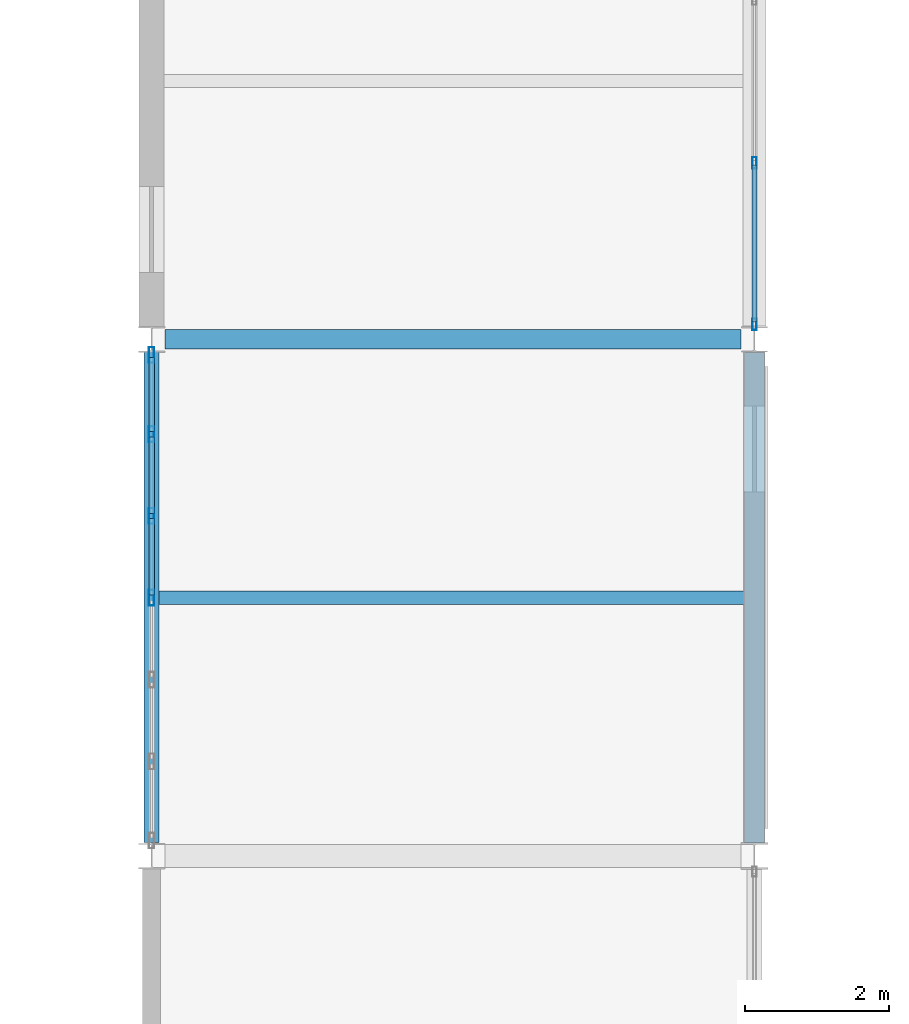
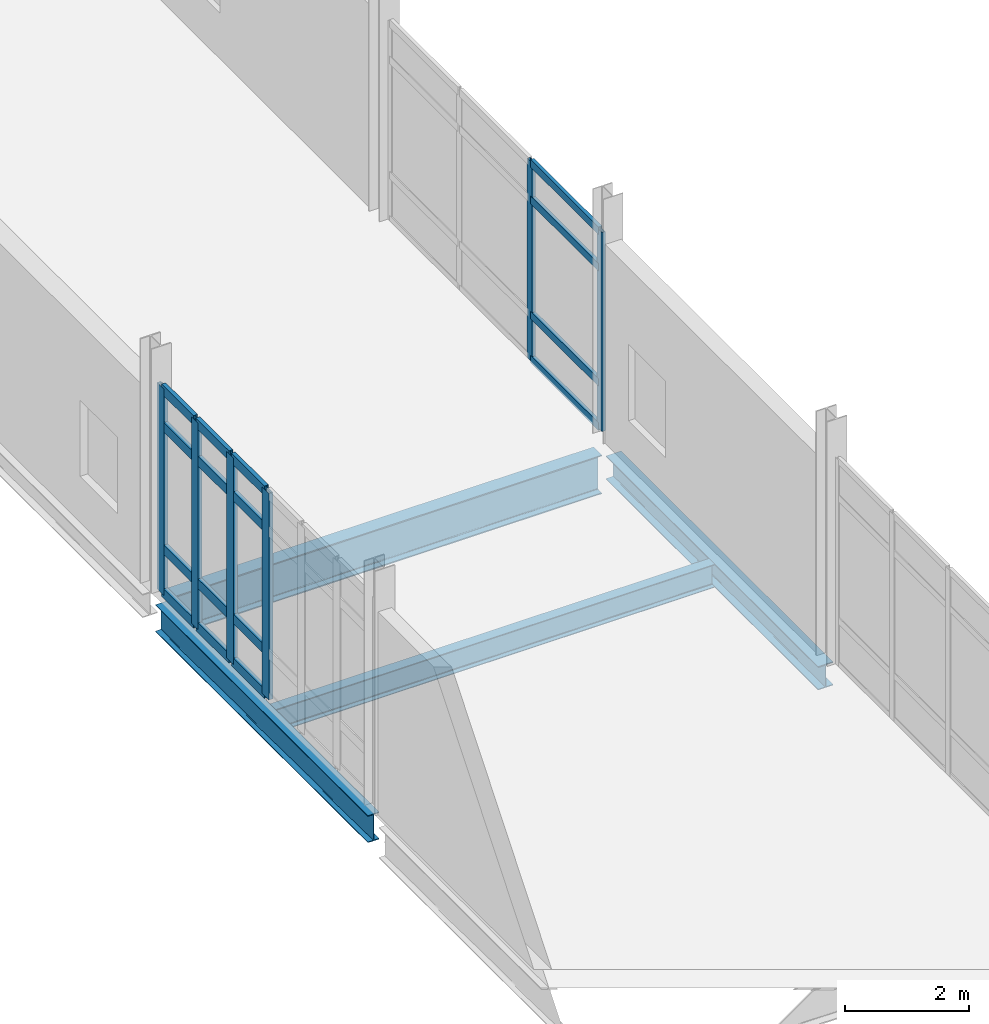
# One storey, part 77 of 186: 22 members, 4 beams, 2 elements without a shape of their own.
"""IFC4 building model written with IfcOpenShell, lengths in metres."""

import ifcopenshell
import ifcopenshell.guid

model = None  # the IFC model being written
_history = None  # IfcOwnerHistory: only IFC2X3 demands one
_inside = {}  # id of a spatial element -> (the spatial element, [elements in it])
_under = {}  # id of a project, library or spatial element -> (it, [spatial elements below it])
_declared = {}  # id of a project -> (the project, [libraries it declares])
_typed = {}  # id of a type object -> (the type object, [elements of that type])
_made_of = {}  # id of a material, layer set ... -> (it, [elements and type objects made of it])


def new_model(schema):
    """Start an empty IFC model of exactly this schema.

    Asked for "IFC4X3", IfcOpenShell would pick the latest addendum, in which some entities
    have other attributes; the version numbers below select the first issue.
    IFC2X3 requires an IfcOwnerHistory on every rooted entity: one is made here for all.
    """
    global model, _history
    if schema == "IFC4X3":
        model = ifcopenshell.file(schema_version=(4, 3, 0, 0))
    else:
        model = ifcopenshell.file(schema=schema)
    _inside.clear()
    _under.clear()
    _declared.clear()
    _typed.clear()
    _made_of.clear()
    _history = None
    if model.schema == "IFC2X3":
        org = make("IfcOrganization", Name="unknown")
        user = make(
            "IfcPersonAndOrganization",
            ThePerson=make("IfcPerson", FamilyName="unknown"),
            TheOrganization=org,
        )
        app = make(
            "IfcApplication",
            ApplicationDeveloper=org,
            Version="unknown",
            ApplicationFullName="unknown",
            ApplicationIdentifier="unknown",
        )
        _history = make(
            "IfcOwnerHistory",
            OwningUser=user,
            OwningApplication=app,
            ChangeAction="ADDED",
            CreationDate=0,
        )
    return model


def make(cls, **values):
    """One entity of the class cls with the attributes given. An attribute that is None is left unset."""
    return model.create_entity(
        cls, **{name: value for name, value in values.items() if value is not None}
    )


def rooted(cls, **values):
    """An entity with a GlobalId (a new one), such as an element, a storey or a relation."""
    return make(cls, GlobalId=ifcopenshell.guid.new(), OwnerHistory=_history, **values)


def si_unit(unit_type, name, prefix=None):
    """IfcSIUnit, for example si_unit("LENGTHUNIT", "METRE", prefix="MILLI")."""
    return make("IfcSIUnit", UnitType=unit_type, Prefix=prefix, Name=name)


def assignment(units):
    """IfcUnitAssignment: the units of a project."""
    return None if units is None else make("IfcUnitAssignment", Units=units)


def point(xyz):
    """IfcCartesianPoint."""
    return None if xyz is None else make("IfcCartesianPoint", Coordinates=xyz)


def direction(xyz):
    """IfcDirection."""
    return None if xyz is None else make("IfcDirection", DirectionRatios=xyz)


def frame(location, z_axis=None, x_axis=None):
    """IfcAxis2Placement3D, a coordinate frame: its origin and axes. An axis left out is left unset."""
    return make(
        "IfcAxis2Placement3D",
        Location=point(location),
        Axis=direction(z_axis),
        RefDirection=direction(x_axis),
    )


def frame_2d(location, x_axis=None):
    """IfcAxis2Placement2D, a coordinate frame in the plane: its origin and x axis."""
    return make(
        "IfcAxis2Placement2D", Location=point(location), RefDirection=direction(x_axis)
    )


def origin():
    """The frame at (0, 0, 0) with its axes left unset."""
    return frame((0.0, 0.0, 0.0))


def origin_2d():
    """The frame at (0, 0) in the plane with its x axis left unset."""
    return frame_2d((0.0, 0.0))


def place(relative_to, where):
    """IfcLocalPlacement: puts the frame where relative to a parent placement (None: the world)."""
    return make(
        "IfcLocalPlacement", PlacementRelTo=relative_to, RelativePlacement=where
    )


def context(
    kind, dimensions, precision=None, world=None, true_north=None, identifier=None
):
    """IfcGeometricRepresentationContext, for example the 3D "Model" context."""
    return make(
        "IfcGeometricRepresentationContext",
        ContextIdentifier=identifier,
        ContextType=kind,
        CoordinateSpaceDimension=dimensions,
        Precision=precision,
        WorldCoordinateSystem=world,
        TrueNorth=true_north,
    )


def subcontext(parent, identifier, kind, view, scale=None):
    """IfcGeometricRepresentationSubContext, for example "Body" below "Model"."""
    return make(
        "IfcGeometricRepresentationSubContext",
        ContextIdentifier=identifier,
        ContextType=kind,
        ParentContext=parent,
        TargetScale=scale,
        TargetView=view,
    )


def project(units=None, contexts=None):
    """IfcProject with its units and contexts."""
    return rooted(
        "IfcProject",
        Name="project",
        RepresentationContexts=contexts,
        UnitsInContext=assignment(units),
    )


def spatial(cls, under=None, at=None, **own):
    """A site, building, storey or space (cls), placed at a placement, below another one or the project."""
    s = rooted(cls, ObjectPlacement=at, **own)
    if under is not None:
        _under.setdefault(under.id(), (under, []))[1].append(s)
    return s


def profile(cls, at=None, kind="AREA", **sizes):
    """A parametric profile (cls). Its sizes go by their IFC names, for example OverallWidth=200.0."""
    return make(cls, ProfileType=kind, Position=at, **sizes)


def hollow_rectangle(**sizes):
    """IfcRectangleHollowProfileDef."""
    return profile("IfcRectangleHollowProfileDef", **sizes)


def i_section(**sizes):
    """IfcIShapeProfileDef."""
    return profile("IfcIShapeProfileDef", **sizes)


def extrude(swept, where, along, depth):
    """IfcExtrudedAreaSolid: the profile swept, set in the frame where, extruded along a direction by depth."""
    return make(
        "IfcExtrudedAreaSolid",
        SweptArea=swept,
        Position=where,
        ExtrudedDirection=direction(along),
        Depth=depth,
    )


def shape(context_of_items, identifier, shape_type, items):
    """IfcShapeRepresentation: the items that make up one representation, for example the "Body"."""
    return make(
        "IfcShapeRepresentation",
        ContextOfItems=context_of_items,
        RepresentationIdentifier=identifier,
        RepresentationType=shape_type,
        Items=items,
    )


def material(Name=None, Category=None):
    """IfcMaterial."""
    return make("IfcMaterial", Name=Name, Category=Category)


def layer(
    of_material, thickness, ventilated=None, Name=None, Category=None, Priority=None
):
    """IfcMaterialLayer: one layer of a wall or slab, of a material (None: an air gap)."""
    return make(
        "IfcMaterialLayer",
        Material=of_material,
        LayerThickness=thickness,
        IsVentilated=ventilated,
        Name=Name,
        Category=Category,
        Priority=Priority,
    )


def layer_set(layers, Name=None):
    """IfcMaterialLayerSet."""
    return make("IfcMaterialLayerSet", MaterialLayers=layers, LayerSetName=Name)


def material_profile(
    of_material, cross_section, Name=None, Category=None, Priority=None
):
    """IfcMaterialProfile: a cross section and its material."""
    return make(
        "IfcMaterialProfile",
        Name=Name,
        Material=of_material,
        Profile=cross_section,
        Priority=Priority,
        Category=Category,
    )


def profile_set(profiles, Name=None, composite=None):
    """IfcMaterialProfileSet."""
    return make(
        "IfcMaterialProfileSet",
        Name=Name,
        MaterialProfiles=profiles,
        CompositeProfile=composite,
    )


def made_of(thing, what):
    """Note that an element or type object is made of a material, layer set ...; save() writes the relation."""
    if what is not None:
        _made_of.setdefault(what.id(), (what, []))[1].append(thing)
    return thing


def type_object(cls, material=None, **own):
    """A type object (cls), such as IfcWallType, which elements share."""
    return made_of(rooted(cls, **own), material)


def element(
    cls,
    number,
    at=None,
    inside=None,
    cuts=None,
    type_object=None,
    material=None,
    context=None,
    identifier="Body",
    shape_type=None,
    held_by="IfcProductDefinitionShape",
    body=None,
    shapes=None,
    **own,
):
    """One element of the class cls, such as IfcWall. Its Tag is "e" and its number.

    at: its placement. inside: the storey or other place that contains it. cuts: it is an
    opening in that element (IfcRelVoidsElement). A single representation is given by context,
    identifier, shape_type and body (its items); several are given by shapes. held_by: the class
    of the entity that holds the representations. save() writes the other relations.
    """
    e = rooted(cls, Tag="e%d" % number, ObjectPlacement=at, **own)
    if body is not None:
        shapes = [shape(context, identifier, shape_type, body)]
    if shapes is not None:
        e.Representation = make(held_by, Representations=shapes)
    if inside is not None:
        _inside.setdefault(inside.id(), (inside, []))[1].append(e)
    if cuts is not None:
        rooted(
            "IfcRelVoidsElement", RelatingBuildingElement=cuts, RelatedOpeningElement=e
        )
    if type_object is not None:
        _typed.setdefault(type_object.id(), (type_object, []))[1].append(e)
    return made_of(e, material)


def aggregate(whole, parts):
    """IfcRelAggregates: a whole, such as a stair, and the parts it consists of."""
    return rooted("IfcRelAggregates", RelatingObject=whole, RelatedObjects=parts)


def save(model, path):
    """Write the relations noted so far, then the file.

    IfcRelAggregates (storeys below a building ...), IfcRelContainedInSpatialStructure (elements
    in a storey), IfcRelDefinesByType, IfcRelAssociatesMaterial and IfcRelDeclares: one each for
    every whole, place, type object, material and project.
    """
    for whole, parts in _under.values():
        aggregate(whole, parts)
    for where, things in _inside.values():
        rooted(
            "IfcRelContainedInSpatialStructure",
            RelatedElements=things,
            RelatingStructure=where,
        )
    for kind, things in _typed.values():
        rooted("IfcRelDefinesByType", RelatedObjects=things, RelatingType=kind)
    for what, things in _made_of.values():
        rooted("IfcRelAssociatesMaterial", RelatedObjects=things, RelatingMaterial=what)
    for by, libraries in _declared.values():
        rooted("IfcRelDeclares", RelatingContext=by, RelatedDefinitions=libraries)
    model.write(path)


model = new_model("IFC4")

# Units and contexts
model_context = context("Model", 3, precision=1e-05, world=origin(), true_north=direction((0.0, 1.0)))
body_context = subcontext(model_context, "Body", "Model", "MODEL_VIEW")
ifc_project = project(units=[si_unit("LENGTHUNIT", "METRE"), si_unit("AREAUNIT", "SQUARE_METRE"), si_unit("VOLUMEUNIT", "CUBIC_METRE"), si_unit("PLANEANGLEUNIT", "RADIAN"), si_unit("MASSUNIT", "GRAM", prefix="KILO")], contexts=[model_context])

# Site, building, storey
site_placement = place(None, origin())
site = spatial("IfcSite", under=ifc_project, at=site_placement, CompositionType="ELEMENT")
building_placement = place(site_placement, origin())
building = spatial("IfcBuilding", under=site, at=building_placement, Name="Calvrana Isthmian Art Gallery", CompositionType="ELEMENT")
storey_placement = place(building_placement, frame((0.0, 0.0, 5.39990234375)))
storey = spatial("IfcBuildingStorey", under=building, at=storey_placement, Name="L01", CompositionType="ELEMENT", Elevation=5.39990234375)

# Beams
ifc_material_1 = material(Name="Steel ASTM A992 Gr 50", Category="steel")
ifc_material_profile_1 = material_profile(ifc_material_1, i_section(OverallWidth=0.279052734375, OverallDepth=0.4619140625, WebThickness=0.0107421875, FlangeThickness=0.017333984375, FilletRadius=0.02001953125, at=origin_2d()), Name="W18X76")
ifc_profile_set_1 = profile_set([ifc_material_profile_1], Name="Steel ASTM A992 Gr 50")
beam_type_1 = type_object("IfcBeamType", Name="BM-G-W18X76", PredefinedType="BEAM", material=ifc_profile_set_1)
beam_1_placement = place(storey_placement, frame((63.60009765625, 69.783935546875, -0.475830078125), z_axis=(0.0, 1.0, 0.0), x_axis=(-1.0, 0.0, 0.0)))
element("IfcBeam", 1, at=beam_1_placement, inside=storey, type_object=beam_type_1, Name="Girder Y L01 09/J-K", PredefinedType="BEAM", context=body_context, shape_type="SweptSolid", body=[
    extrude(i_section(OverallWidth=0.279052734375, OverallDepth=0.4619140625, WebThickness=0.0107421875, FlangeThickness=0.017333984375, FilletRadius=0.02001953125, at=origin_2d()), origin(), (0.0, 0.0, 1.0), 6.82958984375),
])
ifc_material_profile_2 = material_profile(ifc_material_1, i_section(OverallWidth=0.208984375, OverallDepth=0.532958984375, WebThickness=0.01025390625, FlangeThickness=0.015625, FilletRadius=0.02099609375, at=origin_2d()), Name="W21X62")
ifc_profile_set_2 = profile_set([ifc_material_profile_2], Name="Steel ASTM A992 Gr 50")
beam_type_2 = type_object("IfcBeamType", Name="BM-G-W21X62", PredefinedType="BEAM", material=ifc_profile_set_2)
beam_2_placement = place(storey_placement, frame((55.199951171875, 69.78662109375, -0.511474609375), z_axis=(0.0, 1.0, 0.0), x_axis=(-1.0, 0.0, 0.0)))
element("IfcBeam", 2, at=beam_2_placement, inside=storey, type_object=beam_type_2, Name="Girder Y L01 08/J-K", PredefinedType="BEAM", context=body_context, shape_type="SweptSolid", body=[
    extrude(i_section(OverallWidth=0.208984375, OverallDepth=0.532958984375, WebThickness=0.01025390625, FlangeThickness=0.015625, FilletRadius=0.02099609375, at=origin_2d()), origin(), (0.0, 0.0, 1.0), 6.83544921875),
])
ifc_material_profile_3 = material_profile(ifc_material_1, i_section(OverallWidth=0.26708984375, OverallDepth=0.761962890625, WebThickness=0.014404296875, FlangeThickness=0.021484375, FilletRadius=0.02490234375, at=origin_2d()), Name="W30X116")
ifc_profile_set_3 = profile_set([ifc_material_profile_3], Name="Steel ASTM A992 Gr 50")
beam_type_3 = type_object("IfcBeamType", Name="BM-G-W30X116", PredefinedType="BEAM", material=ifc_profile_set_3)
beam_3_placement = place(storey_placement, frame((55.384033203125, 76.800048828125, -0.6259765625), z_axis=(1.0, 0.0, 0.0), x_axis=(0.0, 1.0, 0.0)))
element("IfcBeam", 3, at=beam_3_placement, inside=storey, type_object=beam_type_3, Name="Girder X L01 08-09/K", PredefinedType="BEAM", context=body_context, shape_type="SweptSolid", body=[
    extrude(i_section(OverallWidth=0.26708984375, OverallDepth=0.761962890625, WebThickness=0.014404296875, FlangeThickness=0.021484375, FilletRadius=0.02490234375, at=origin_2d()), origin(), (0.0, 0.0, 1.0), 8.029541015625),
])
ifc_material_profile_4 = material_profile(ifc_material_1, i_section(OverallWidth=0.19091796875, OverallDepth=0.45703125, WebThickness=0.009033203125, FlangeThickness=0.014404296875, FilletRadius=0.02001953125, at=origin_2d()), Name="W18X50")
ifc_profile_set_4 = profile_set([ifc_material_profile_4], Name="Steel ASTM A992 Gr 50")
beam_type_4 = type_object("IfcBeamType", Name="BM-J-W18X50", PredefinedType="JOIST", material=ifc_profile_set_4)
beam_4_placement = place(storey_placement, frame((55.304443359375, 73.199951171875, -0.473388671875), z_axis=(1.0, 0.0, 0.0), x_axis=(0.0, 1.0, 0.0)))
element("IfcBeam", 4, at=beam_4_placement, inside=storey, type_object=beam_type_4, Name="Composite joist L01 bay 07-09", PredefinedType="JOIST", context=body_context, shape_type="SweptSolid", body=[
    extrude(i_section(OverallWidth=0.19091796875, OverallDepth=0.45703125, WebThickness=0.009033203125, FlangeThickness=0.014404296875, FilletRadius=0.02001953125, at=origin_2d()), origin(), (0.0, 0.0, 1.0), 8.156005859375),
])

# Curtain wall, members
ifc_material_2 = material(Name="Anodized bronze aluminium 6063-T6", Category="aluminium")
ifc_layer_1 = layer(ifc_material_2, 0.179931640625, Name="Anodized bronze aluminium 6063-T6")
ifc_layer_set_1 = layer_set([ifc_layer_1], Name="Anodized bronze aluminium 6063-T6")
curtain_wall_type_1 = type_object("IfcCurtainWallType", Name="CW-STICK-068X39", PredefinedType="NOTDEFINED", material=ifc_layer_set_1)
curtain_wall_1_placement = place(storey_placement, origin())
curtain_wall_1 = element("IfcCurtainWall", 5, at=curtain_wall_1_placement, inside=storey, type_object=curtain_wall_type_1, Name="Curtain wall CW-127", PredefinedType="NOTDEFINED")
ifc_material_profile_5 = material_profile(ifc_material_2, hollow_rectangle(XDim=0.06005859375, YDim=0.159912109375, WallThickness=0.00390625, at=origin_2d()), Name="CWM60X160")
ifc_profile_set_5 = profile_set([ifc_material_profile_5], Name="Anodized bronze aluminium 6063-T6")
member_type_1 = type_object("IfcMemberType", Name="CWM-CWM60X160", PredefinedType="MULLION", material=ifc_profile_set_5)
member_1_placement = place(storey_placement, frame((63.60009765625, 79.258056640625, 0.0), z_axis=(0.0, 0.0, 1.0), x_axis=(1.0, 0.0, 0.0)))
member_1 = element("IfcMember", 6, at=member_1_placement, type_object=member_type_1, Name="CW-127 mullion 3", PredefinedType="MULLION", context=body_context, shape_type="SweptSolid", body=[
    extrude(hollow_rectangle(XDim=0.06005859375, YDim=0.159912109375, WallThickness=0.00390625, at=origin_2d()), origin(), (0.0, 0.0, 1.0), 3.9130859375),
])
member_2_placement = place(storey_placement, frame((63.60009765625, 77.008056640625, 0.0), z_axis=(0.0, 0.0, 1.0), x_axis=(1.0, 0.0, 0.0)))
member_2 = element("IfcMember", 7, at=member_2_placement, type_object=member_type_1, Name="CW-127 mullion 4", PredefinedType="MULLION", context=body_context, shape_type="SweptSolid", body=[
    extrude(hollow_rectangle(XDim=0.06005859375, YDim=0.159912109375, WallThickness=0.00390625, at=origin_2d()), origin(), (0.0, 0.0, 1.0), 3.9130859375),
])

ifc_layer_2 = layer(ifc_material_2, 0.179931640625, Name="Anodized bronze aluminium 6063-T6")
ifc_layer_set_2 = layer_set([ifc_layer_2], Name="Anodized bronze aluminium 6063-T6")
curtain_wall_type_2 = type_object("IfcCurtainWallType", Name="CW-STICK-068X41", PredefinedType="NOTDEFINED", material=ifc_layer_set_2)
curtain_wall_2_placement = place(storey_placement, origin())
curtain_wall_2 = element("IfcCurtainWall", 8, at=curtain_wall_2_placement, inside=storey, type_object=curtain_wall_type_2, Name="Curtain wall CW-124", PredefinedType="NOTDEFINED")
ifc_material_profile_6 = material_profile(ifc_material_2, hollow_rectangle(XDim=0.074951171875, YDim=0.219970703125, WallThickness=0.0048828125, at=origin_2d()), Name="CWM75X220")
ifc_profile_set_6 = profile_set([ifc_material_profile_6], Name="Anodized bronze aluminium 6063-T6")
member_type_2 = type_object("IfcMemberType", Name="CWM-CWM75X220", PredefinedType="MULLION", material=ifc_profile_set_6)
member_3_placement = place(storey_placement, frame((55.199951171875, 73.1982421875, 0.0), z_axis=(0.0, 0.0, 1.0), x_axis=(-1.0, 0.0, 0.0)))
member_3 = element("IfcMember", 9, at=member_3_placement, type_object=member_type_2, Name="CW-124 mullion 4", PredefinedType="MULLION", context=body_context, shape_type="SweptSolid", body=[
    extrude(hollow_rectangle(XDim=0.074951171875, YDim=0.219970703125, WallThickness=0.0048828125, at=origin_2d()), origin(), (0.0, 0.0, 1.0), 4.05810546875),
])
member_4_placement = place(storey_placement, frame((55.199951171875, 74.33837890625, 0.0), z_axis=(0.0, 0.0, 1.0), x_axis=(-1.0, 0.0, 0.0)))
member_4 = element("IfcMember", 10, at=member_4_placement, type_object=member_type_2, Name="CW-124 mullion 5", PredefinedType="MULLION", context=body_context, shape_type="SweptSolid", body=[
    extrude(hollow_rectangle(XDim=0.074951171875, YDim=0.219970703125, WallThickness=0.0048828125, at=origin_2d()), origin(), (0.0, 0.0, 1.0), 4.05810546875),
])
member_5_placement = place(storey_placement, frame((55.199951171875, 75.478515625, 0.0), z_axis=(0.0, 0.0, 1.0), x_axis=(-1.0, 0.0, 0.0)))
member_5 = element("IfcMember", 11, at=member_5_placement, type_object=member_type_2, Name="CW-124 mullion 6", PredefinedType="MULLION", context=body_context, shape_type="SweptSolid", body=[
    extrude(hollow_rectangle(XDim=0.074951171875, YDim=0.219970703125, WallThickness=0.0048828125, at=origin_2d()), origin(), (0.0, 0.0, 1.0), 4.05810546875),
])
member_6_placement = place(storey_placement, frame((55.199951171875, 76.5810546875, 0.0), z_axis=(0.0, 0.0, 1.0), x_axis=(-1.0, 0.0, 0.0)))
member_6 = element("IfcMember", 12, at=member_6_placement, type_object=member_type_2, Name="CW-124 mullion 7", PredefinedType="MULLION", context=body_context, shape_type="SweptSolid", body=[
    extrude(hollow_rectangle(XDim=0.074951171875, YDim=0.219970703125, WallThickness=0.0048828125, at=origin_2d()), origin(), (0.0, 0.0, 1.0), 4.05810546875),
])

# Member
ifc_material_profile_7 = material_profile(ifc_material_2, hollow_rectangle(XDim=0.06494140625, YDim=0.14990234375, WallThickness=0.00390625, at=origin_2d()), Name="CWT65X150")
ifc_profile_set_7 = profile_set([ifc_material_profile_7], Name="Anodized bronze aluminium 6063-T6")
member_type_3 = type_object("IfcMemberType", Name="CWT-CWT65X150", PredefinedType="USERDEFINED", material=ifc_profile_set_7)
member_7_placement = place(storey_placement, frame((63.60009765625, 79.228271484375, 0.03271484375), z_axis=(0.0, -1.0, 0.0), x_axis=(1.0, 0.0, 0.0)))
member_7 = element("IfcMember", 13, at=member_7_placement, type_object=member_type_3, Name="CW-127 transom 3.1", ObjectType="TRANSOM", PredefinedType="USERDEFINED", context=body_context, shape_type="SweptSolid", body=[
    extrude(hollow_rectangle(XDim=0.06494140625, YDim=0.14990234375, WallThickness=0.00390625, at=origin_2d()), origin(), (0.0, 0.0, 1.0), 2.190185546875),
])

member_8_placement = place(storey_placement, frame((63.60009765625, 79.228271484375, 0.900146484375), z_axis=(0.0, -1.0, 0.0), x_axis=(1.0, 0.0, 0.0)))
member_8 = element("IfcMember", 14, at=member_8_placement, type_object=member_type_3, Name="CW-127 transom 3.2", ObjectType="TRANSOM", PredefinedType="USERDEFINED", context=body_context, shape_type="SweptSolid", body=[
    extrude(hollow_rectangle(XDim=0.06494140625, YDim=0.14990234375, WallThickness=0.00390625, at=origin_2d()), origin(), (0.0, 0.0, 1.0), 2.190185546875),
])

member_9_placement = place(storey_placement, frame((63.60009765625, 79.228271484375, 3.1630859375), z_axis=(0.0, -1.0, 0.0), x_axis=(1.0, 0.0, 0.0)))
member_9 = element("IfcMember", 15, at=member_9_placement, type_object=member_type_3, Name="CW-127 transom 3.3", ObjectType="TRANSOM", PredefinedType="USERDEFINED", context=body_context, shape_type="SweptSolid", body=[
    extrude(hollow_rectangle(XDim=0.06494140625, YDim=0.14990234375, WallThickness=0.00390625, at=origin_2d()), origin(), (0.0, 0.0, 1.0), 2.190185546875),
])

member_10_placement = place(storey_placement, frame((63.60009765625, 79.228271484375, 3.880615234375), z_axis=(0.0, -1.0, 0.0), x_axis=(1.0, 0.0, 0.0)))
member_10 = element("IfcMember", 16, at=member_10_placement, type_object=member_type_3, Name="CW-127 transom 3.4", ObjectType="TRANSOM", PredefinedType="USERDEFINED", context=body_context, shape_type="SweptSolid", body=[
    extrude(hollow_rectangle(XDim=0.06494140625, YDim=0.14990234375, WallThickness=0.00390625, at=origin_2d()), origin(), (0.0, 0.0, 1.0), 2.190185546875),
])

aggregate(curtain_wall_1, [member_1, member_2, member_7, member_8, member_9, member_10])

ifc_material_profile_8 = material_profile(ifc_material_2, hollow_rectangle(XDim=0.074951171875, YDim=0.18994140625, WallThickness=0.00439453125, at=origin_2d()), Name="CWT75X190")
ifc_profile_set_8 = profile_set([ifc_material_profile_8], Name="Anodized bronze aluminium 6063-T6")
member_type_4 = type_object("IfcMemberType", Name="CWT-CWT75X190", PredefinedType="USERDEFINED", material=ifc_profile_set_8)
member_11_placement = place(storey_placement, frame((55.199951171875, 73.23583984375, 0.03759765625), z_axis=(0.0, 1.0, 0.0), x_axis=(-1.0, 0.0, 0.0)))
member_11 = element("IfcMember", 17, at=member_11_placement, type_object=member_type_4, Name="CW-124 transom 4.1", ObjectType="TRANSOM", PredefinedType="USERDEFINED", context=body_context, shape_type="SweptSolid", body=[
    extrude(hollow_rectangle(XDim=0.074951171875, YDim=0.18994140625, WallThickness=0.00439453125, at=origin_2d()), origin(), (0.0, 0.0, 1.0), 1.06494140625),
])

member_12_placement = place(storey_placement, frame((55.199951171875, 73.23583984375, 0.900146484375), z_axis=(0.0, 1.0, 0.0), x_axis=(-1.0, 0.0, 0.0)))
member_12 = element("IfcMember", 18, at=member_12_placement, type_object=member_type_4, Name="CW-124 transom 4.2", ObjectType="TRANSOM", PredefinedType="USERDEFINED", context=body_context, shape_type="SweptSolid", body=[
    extrude(hollow_rectangle(XDim=0.074951171875, YDim=0.18994140625, WallThickness=0.00439453125, at=origin_2d()), origin(), (0.0, 0.0, 1.0), 1.06494140625),
])

member_13_placement = place(storey_placement, frame((55.199951171875, 73.23583984375, 3.30810546875), z_axis=(0.0, 1.0, 0.0), x_axis=(-1.0, 0.0, 0.0)))
member_13 = element("IfcMember", 19, at=member_13_placement, type_object=member_type_4, Name="CW-124 transom 4.3", ObjectType="TRANSOM", PredefinedType="USERDEFINED", context=body_context, shape_type="SweptSolid", body=[
    extrude(hollow_rectangle(XDim=0.074951171875, YDim=0.18994140625, WallThickness=0.00439453125, at=origin_2d()), origin(), (0.0, 0.0, 1.0), 1.06494140625),
])

member_14_placement = place(storey_placement, frame((55.199951171875, 73.23583984375, 4.0205078125), z_axis=(0.0, 1.0, 0.0), x_axis=(-1.0, 0.0, 0.0)))
member_14 = element("IfcMember", 20, at=member_14_placement, type_object=member_type_4, Name="CW-124 transom 4.4", ObjectType="TRANSOM", PredefinedType="USERDEFINED", context=body_context, shape_type="SweptSolid", body=[
    extrude(hollow_rectangle(XDim=0.074951171875, YDim=0.18994140625, WallThickness=0.00439453125, at=origin_2d()), origin(), (0.0, 0.0, 1.0), 1.06494140625),
])

member_15_placement = place(storey_placement, frame((55.199951171875, 74.375732421875, 0.03759765625), z_axis=(0.0, 1.0, 0.0), x_axis=(-1.0, 0.0, 0.0)))
member_15 = element("IfcMember", 21, at=member_15_placement, type_object=member_type_4, Name="CW-124 transom 5.1", ObjectType="TRANSOM", PredefinedType="USERDEFINED", context=body_context, shape_type="SweptSolid", body=[
    extrude(hollow_rectangle(XDim=0.074951171875, YDim=0.18994140625, WallThickness=0.00439453125, at=origin_2d()), origin(), (0.0, 0.0, 1.0), 1.065185546875),
])

member_16_placement = place(storey_placement, frame((55.199951171875, 74.375732421875, 0.900146484375), z_axis=(0.0, 1.0, 0.0), x_axis=(-1.0, 0.0, 0.0)))
member_16 = element("IfcMember", 22, at=member_16_placement, type_object=member_type_4, Name="CW-124 transom 5.2", ObjectType="TRANSOM", PredefinedType="USERDEFINED", context=body_context, shape_type="SweptSolid", body=[
    extrude(hollow_rectangle(XDim=0.074951171875, YDim=0.18994140625, WallThickness=0.00439453125, at=origin_2d()), origin(), (0.0, 0.0, 1.0), 1.065185546875),
])

member_17_placement = place(storey_placement, frame((55.199951171875, 74.375732421875, 3.30810546875), z_axis=(0.0, 1.0, 0.0), x_axis=(-1.0, 0.0, 0.0)))
member_17 = element("IfcMember", 23, at=member_17_placement, type_object=member_type_4, Name="CW-124 transom 5.3", ObjectType="TRANSOM", PredefinedType="USERDEFINED", context=body_context, shape_type="SweptSolid", body=[
    extrude(hollow_rectangle(XDim=0.074951171875, YDim=0.18994140625, WallThickness=0.00439453125, at=origin_2d()), origin(), (0.0, 0.0, 1.0), 1.065185546875),
])

member_18_placement = place(storey_placement, frame((55.199951171875, 74.375732421875, 4.0205078125), z_axis=(0.0, 1.0, 0.0), x_axis=(-1.0, 0.0, 0.0)))
member_18 = element("IfcMember", 24, at=member_18_placement, type_object=member_type_4, Name="CW-124 transom 5.4", ObjectType="TRANSOM", PredefinedType="USERDEFINED", context=body_context, shape_type="SweptSolid", body=[
    extrude(hollow_rectangle(XDim=0.074951171875, YDim=0.18994140625, WallThickness=0.00439453125, at=origin_2d()), origin(), (0.0, 0.0, 1.0), 1.065185546875),
])

member_19_placement = place(storey_placement, frame((55.199951171875, 75.515869140625, 0.03759765625), z_axis=(0.0, 1.0, 0.0), x_axis=(-1.0, 0.0, 0.0)))
member_19 = element("IfcMember", 25, at=member_19_placement, type_object=member_type_4, Name="CW-124 transom 6.1", ObjectType="TRANSOM", PredefinedType="USERDEFINED", context=body_context, shape_type="SweptSolid", body=[
    extrude(hollow_rectangle(XDim=0.074951171875, YDim=0.18994140625, WallThickness=0.00439453125, at=origin_2d()), origin(), (0.0, 0.0, 1.0), 1.027587890625),
])

member_20_placement = place(storey_placement, frame((55.199951171875, 75.515869140625, 0.900146484375), z_axis=(0.0, 1.0, 0.0), x_axis=(-1.0, 0.0, 0.0)))
member_20 = element("IfcMember", 26, at=member_20_placement, type_object=member_type_4, Name="CW-124 transom 6.2", ObjectType="TRANSOM", PredefinedType="USERDEFINED", context=body_context, shape_type="SweptSolid", body=[
    extrude(hollow_rectangle(XDim=0.074951171875, YDim=0.18994140625, WallThickness=0.00439453125, at=origin_2d()), origin(), (0.0, 0.0, 1.0), 1.027587890625),
])

member_21_placement = place(storey_placement, frame((55.199951171875, 75.515869140625, 3.30810546875), z_axis=(0.0, 1.0, 0.0), x_axis=(-1.0, 0.0, 0.0)))
member_21 = element("IfcMember", 27, at=member_21_placement, type_object=member_type_4, Name="CW-124 transom 6.3", ObjectType="TRANSOM", PredefinedType="USERDEFINED", context=body_context, shape_type="SweptSolid", body=[
    extrude(hollow_rectangle(XDim=0.074951171875, YDim=0.18994140625, WallThickness=0.00439453125, at=origin_2d()), origin(), (0.0, 0.0, 1.0), 1.027587890625),
])

member_22_placement = place(storey_placement, frame((55.199951171875, 75.515869140625, 4.0205078125), z_axis=(0.0, 1.0, 0.0), x_axis=(-1.0, 0.0, 0.0)))
member_22 = element("IfcMember", 28, at=member_22_placement, type_object=member_type_4, Name="CW-124 transom 6.4", ObjectType="TRANSOM", PredefinedType="USERDEFINED", context=body_context, shape_type="SweptSolid", body=[
    extrude(hollow_rectangle(XDim=0.074951171875, YDim=0.18994140625, WallThickness=0.00439453125, at=origin_2d()), origin(), (0.0, 0.0, 1.0), 1.027587890625),
])

aggregate(curtain_wall_2, [member_3, member_4, member_5, member_6, member_11, member_12, member_13, member_14, member_15, member_16, member_17, member_18, member_19, member_20, member_21, member_22])

save(model, "model.ifc")
